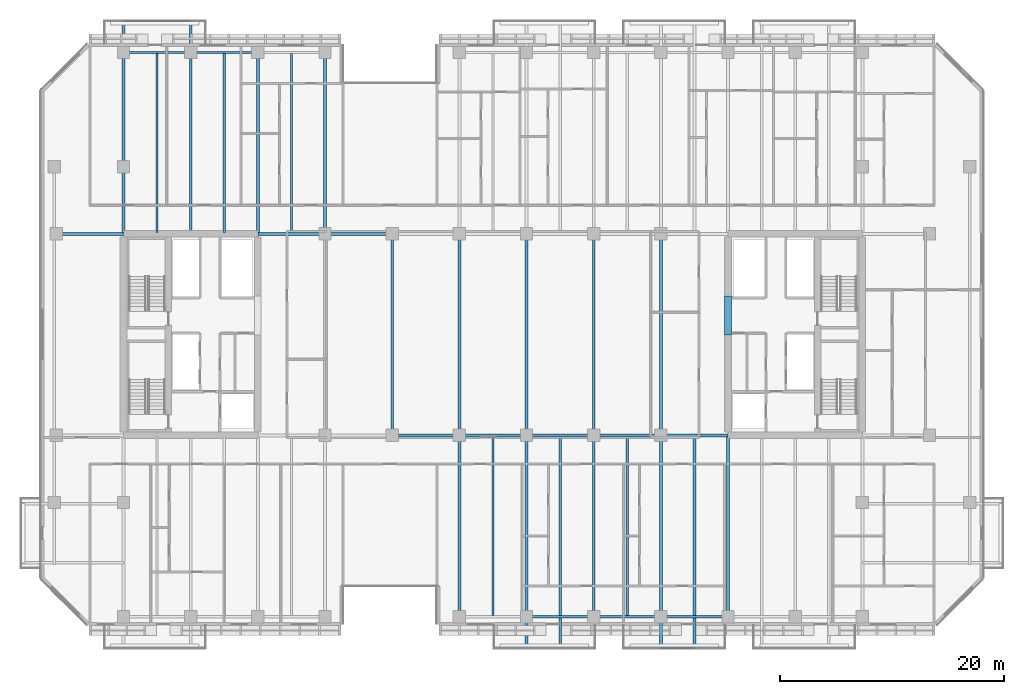
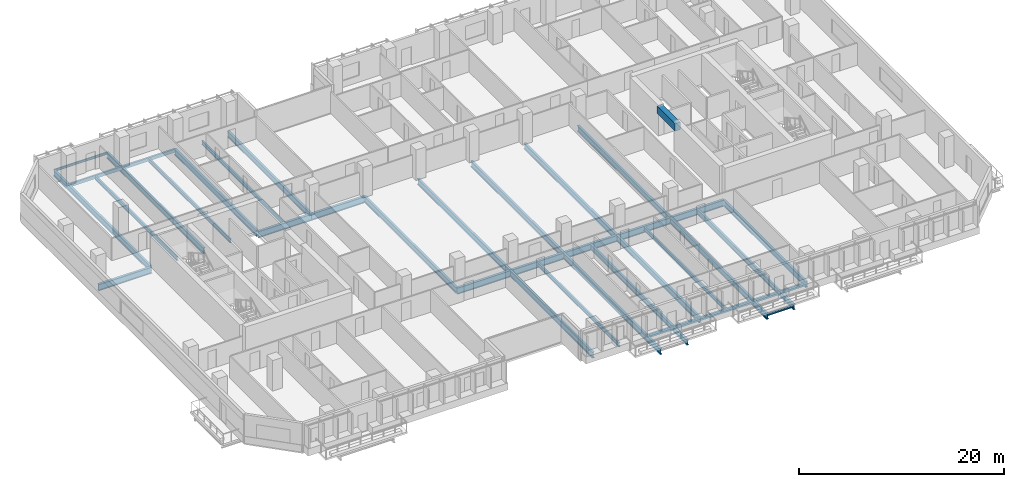
# One storey, part 5 of 26: 37 beams.
"""IFC4 building model written with IfcOpenShell, lengths in metres."""

from ifc_helpers import new_model, si_unit, direction, frame, origin, origin_2d, place, context, subcontext, project, spatial, rectangle, hollow_rectangle, i_section, extrude, material, material_profile, profile_set, type_object, element, save


model = new_model("IFC4")

# Units and contexts
model_context = context("Model", 3, precision=1e-05, world=origin(), true_north=direction((0.0, 1.0)))
body_context = subcontext(model_context, "Body", "Model", "MODEL_VIEW")
ifc_project = project(units=[si_unit("LENGTHUNIT", "METRE"), si_unit("AREAUNIT", "SQUARE_METRE"), si_unit("VOLUMEUNIT", "CUBIC_METRE"), si_unit("PLANEANGLEUNIT", "RADIAN"), si_unit("MASSUNIT", "GRAM", prefix="KILO")], contexts=[model_context])

# Site, building, storey
site_placement = place(None, origin())
site = spatial("IfcSite", under=ifc_project, at=site_placement, CompositionType="ELEMENT")
building_placement = place(site_placement, origin())
building = spatial("IfcBuilding", under=site, at=building_placement, Name="Tanjung Sevakor Pilgrim Tower", CompositionType="ELEMENT")
storey_placement = place(building_placement, frame((0.0, 0.0, 66.0)))
storey = spatial("IfcBuildingStorey", under=building, at=storey_placement, Name="L18", CompositionType="ELEMENT", Elevation=66.0)

# Beams
ifc_material_1 = material(Name="Steel S355J2", Category="steel")
ifc_material_profile_1 = material_profile(ifc_material_1, i_section(OverallWidth=0.26806640625, OverallDepth=0.769775390625, WebThickness=0.015625, FlangeThickness=0.025390625, FilletRadius=0.0166015625, at=origin_2d()))
ifc_profile_set_1 = profile_set([ifc_material_profile_1], Name="Steel S355J2")
beam_type_1 = type_object("IfcBeamType", Name="BM-B-G1-UB_762x267x197", PredefinedType="BEAM", material=ifc_profile_set_1)
for number, where, z_axis, x_axis, name in (
    (1, (48.0, 24.60009765625, -0.60498046875), (1.0, 0.0, 0.0), (0.0, 1.0, 0.0), "L18 Primary Floor Girder MAIN Y246-04"),
    (2, (54.0, 24.60009765625, -0.60498046875), (1.0, 0.0, 0.0), (0.0, 1.0, 0.0), "L18 Primary Floor Girder MAIN Y246-05"),
    (3, (60.0, 24.60009765625, -0.60498046875), (1.0, 0.0, 0.0), (0.0, 1.0, 0.0), "L18 Primary Floor Girder MAIN Y246-06"),
    (4, (66.0, 24.60009765625, -0.60498046875), (1.0, 0.0, 0.0), (0.0, 1.0, 0.0), "L18 Primary Floor Girder MAIN Y246-07"),
    (5, (72.0, 24.60009765625, -0.60498046875), (1.0, 0.0, 0.0), (0.0, 1.0, 0.0), "L18 Primary Floor Girder MAIN Y246-08"),
    (6, (18.0, 42.60009765625, -0.60498046875), (1.0, 0.0, 0.0), (0.0, 1.0, 0.0), "L18 Primary Floor Girder MAIN Y426-01"),
    (7, (36.0, 42.60009765625, -0.60498046875), (1.0, 0.0, 0.0), (0.0, 1.0, 0.0), "L18 Primary Floor Girder MAIN Y426-02"),
    (8, (42.0, 42.60009765625, -0.60498046875), (1.0, 0.0, 0.0), (0.0, 1.0, 0.0), "L18 Primary Floor Girder MAIN Y426-03"),
):
    element("IfcBeam", number, at=place(storey_placement, frame(where, z_axis=z_axis, x_axis=x_axis)), inside=storey, type_object=beam_type_1, Name=name, PredefinedType="BEAM", context=body_context, shape_type="SweptSolid", body=[
        extrude(i_section(OverallWidth=0.26806640625, OverallDepth=0.769775390625, WebThickness=0.015625, FlangeThickness=0.025390625, FilletRadius=0.0166015625, at=origin_2d()), origin(), (0.0, 0.0, 1.0), 6.0),
    ])
ifc_material_2 = material(Name="Steel S355J2", Category="steel")
ifc_material_profile_2 = material_profile(ifc_material_2, i_section(OverallWidth=0.25439453125, OverallDepth=0.6875, WebThickness=0.01318359375, FlangeThickness=0.02099609375, FilletRadius=0.01513671875, at=origin_2d()))
ifc_profile_set_2 = profile_set([ifc_material_profile_2], Name="Steel S355J2")
beam_type_2 = type_object("IfcBeamType", Name="BM-B-G2-UB_686x254x152", PredefinedType="BEAM", material=ifc_profile_set_2)
for number, where, z_axis, x_axis, name in (
    (9, (24.0, 42.73388671875, -0.563720703125), (0.0, 1.0, 0.0), (-1.0, 0.0, 0.0), "L18 Balcony Cantilever Beam MAIN-N1-1"),
    (10, (30.0, 42.73388671875, -0.563720703125), (0.0, 1.0, 0.0), (-1.0, 0.0, 0.0), "L18 Balcony Cantilever Beam MAIN-N1-2"),
):
    element("IfcBeam", number, at=place(storey_placement, frame(where, z_axis=z_axis, x_axis=x_axis)), inside=storey, type_object=beam_type_2, Name=name, PredefinedType="BEAM", context=body_context, shape_type="SweptSolid", body=[
        extrude(i_section(OverallWidth=0.25439453125, OverallDepth=0.6875, WebThickness=0.01318359375, FlangeThickness=0.02099609375, FilletRadius=0.01513671875, at=origin_2d()), origin(), (0.0, 0.0, 1.0), 18.84619140625),
    ])
beam_1_placement = place(storey_placement, frame((36.0, 42.73388671875, -0.563720703125), z_axis=(0.0, 1.0, 0.0), x_axis=(-1.0, 0.0, 0.0)))
element("IfcBeam", 11, at=beam_1_placement, inside=storey, type_object=beam_type_2, Name="L18 MAIN Girder 006", PredefinedType="BEAM", context=body_context, shape_type="SweptSolid", body=[
    extrude(i_section(OverallWidth=0.25439453125, OverallDepth=0.6875, WebThickness=0.01318359375, FlangeThickness=0.02099609375, FilletRadius=0.01513671875, at=origin_2d()), origin(), (0.0, 0.0, 1.0), 16.066162109375),
])
beam_2_placement = place(storey_placement, frame((42.0, 42.60009765625, -0.563720703125), z_axis=(0.0, 1.0, 0.0), x_axis=(-1.0, 0.0, 0.0)))
element("IfcBeam", 12, at=beam_2_placement, inside=storey, type_object=beam_type_2, Name="L18 MAIN Girder 011", PredefinedType="BEAM", context=body_context, shape_type="SweptSolid", body=[
    extrude(i_section(OverallWidth=0.25439453125, OverallDepth=0.6875, WebThickness=0.01318359375, FlangeThickness=0.02099609375, FilletRadius=0.01513671875, at=origin_2d()), origin(), (0.0, 0.0, 1.0), 16.199951171875),
])
beam_3_placement = place(storey_placement, frame((48.0, 24.60009765625, -0.563720703125), z_axis=(0.0, 1.0, 0.0), x_axis=(-1.0, 0.0, 0.0)))
element("IfcBeam", 13, at=beam_3_placement, inside=storey, type_object=beam_type_2, Name="L18 MAIN Girder 012", PredefinedType="BEAM", context=body_context, shape_type="SweptSolid", body=[
    extrude(i_section(OverallWidth=0.25439453125, OverallDepth=0.6875, WebThickness=0.01318359375, FlangeThickness=0.02099609375, FilletRadius=0.01513671875, at=origin_2d()), origin(), (0.0, 0.0, 1.0), 18.0),
])
beam_4_placement = place(storey_placement, frame((54.0, 8.39990234375, -0.563720703125), z_axis=(0.0, 1.0, 0.0), x_axis=(-1.0, 0.0, 0.0)))
element("IfcBeam", 14, at=beam_4_placement, inside=storey, type_object=beam_type_2, Name="L18 MAIN Girder 013", PredefinedType="BEAM", context=body_context, shape_type="SweptSolid", body=[
    extrude(i_section(OverallWidth=0.25439453125, OverallDepth=0.6875, WebThickness=0.01318359375, FlangeThickness=0.02099609375, FilletRadius=0.01513671875, at=origin_2d()), origin(), (0.0, 0.0, 1.0), 16.2001953125),
])
beam_5_placement = place(storey_placement, frame((54.0, 24.60009765625, -0.563720703125), z_axis=(0.0, 1.0, 0.0), x_axis=(-1.0, 0.0, 0.0)))
element("IfcBeam", 15, at=beam_5_placement, inside=storey, type_object=beam_type_2, Name="L18 MAIN Girder 014", PredefinedType="BEAM", context=body_context, shape_type="SweptSolid", body=[
    extrude(i_section(OverallWidth=0.25439453125, OverallDepth=0.6875, WebThickness=0.01318359375, FlangeThickness=0.02099609375, FilletRadius=0.01513671875, at=origin_2d()), origin(), (0.0, 0.0, 1.0), 18.0),
])
beam_6_placement = place(storey_placement, frame((60.0, 24.60009765625, -0.563720703125), z_axis=(0.0, -1.0, 0.0), x_axis=(1.0, 0.0, 0.0)))
element("IfcBeam", 16, at=beam_6_placement, inside=storey, type_object=beam_type_2, Name="L18 Balcony Cantilever Beam MAIN-S2-1", PredefinedType="BEAM", context=body_context, shape_type="SweptSolid", body=[
    extrude(i_section(OverallWidth=0.25439453125, OverallDepth=0.6875, WebThickness=0.01318359375, FlangeThickness=0.02099609375, FilletRadius=0.01513671875, at=origin_2d()), origin(), (0.0, 0.0, 1.0), 18.97998046875),
])
beam_7_placement = place(storey_placement, frame((60.0, 24.60009765625, -0.563720703125), z_axis=(0.0, 1.0, 0.0), x_axis=(-1.0, 0.0, 0.0)))
element("IfcBeam", 17, at=beam_7_placement, inside=storey, type_object=beam_type_2, Name="L18 MAIN Girder 018", PredefinedType="BEAM", context=body_context, shape_type="SweptSolid", body=[
    extrude(i_section(OverallWidth=0.25439453125, OverallDepth=0.6875, WebThickness=0.01318359375, FlangeThickness=0.02099609375, FilletRadius=0.01513671875, at=origin_2d()), origin(), (0.0, 0.0, 1.0), 18.0),
])
beam_8_placement = place(storey_placement, frame((66.0, 8.39990234375, -0.563720703125), z_axis=(0.0, 1.0, 0.0), x_axis=(-1.0, 0.0, 0.0)))
element("IfcBeam", 18, at=beam_8_placement, inside=storey, type_object=beam_type_2, Name="L18 MAIN Girder 019", PredefinedType="BEAM", context=body_context, shape_type="SweptSolid", body=[
    extrude(i_section(OverallWidth=0.25439453125, OverallDepth=0.6875, WebThickness=0.01318359375, FlangeThickness=0.02099609375, FilletRadius=0.01513671875, at=origin_2d()), origin(), (0.0, 0.0, 1.0), 16.2001953125),
])
beam_9_placement = place(storey_placement, frame((66.0, 24.60009765625, -0.563720703125), z_axis=(0.0, 1.0, 0.0), x_axis=(-1.0, 0.0, 0.0)))
element("IfcBeam", 19, at=beam_9_placement, inside=storey, type_object=beam_type_2, Name="L18 MAIN Girder 020", PredefinedType="BEAM", context=body_context, shape_type="SweptSolid", body=[
    extrude(i_section(OverallWidth=0.25439453125, OverallDepth=0.6875, WebThickness=0.01318359375, FlangeThickness=0.02099609375, FilletRadius=0.01513671875, at=origin_2d()), origin(), (0.0, 0.0, 1.0), 18.0),
])
beam_10_placement = place(storey_placement, frame((72.0, 24.60009765625, -0.563720703125), z_axis=(0.0, -1.0, 0.0), x_axis=(1.0, 0.0, 0.0)))
element("IfcBeam", 20, at=beam_10_placement, inside=storey, type_object=beam_type_2, Name="L18 Balcony Cantilever Beam MAIN-S3-1", PredefinedType="BEAM", context=body_context, shape_type="SweptSolid", body=[
    extrude(i_section(OverallWidth=0.25439453125, OverallDepth=0.6875, WebThickness=0.01318359375, FlangeThickness=0.02099609375, FilletRadius=0.01513671875, at=origin_2d()), origin(), (0.0, 0.0, 1.0), 18.97998046875),
])
beam_11_placement = place(storey_placement, frame((72.0, 24.60009765625, -0.563720703125), z_axis=(0.0, 1.0, 0.0), x_axis=(-1.0, 0.0, 0.0)))
element("IfcBeam", 21, at=beam_11_placement, inside=storey, type_object=beam_type_2, Name="L18 MAIN Girder 024", PredefinedType="BEAM", context=body_context, shape_type="SweptSolid", body=[
    extrude(i_section(OverallWidth=0.25439453125, OverallDepth=0.6875, WebThickness=0.01318359375, FlangeThickness=0.02099609375, FilletRadius=0.01513671875, at=origin_2d()), origin(), (0.0, 0.0, 1.0), 18.0),
])
beam_12_placement = place(storey_placement, frame((78.0, 8.39990234375, -0.563720703125), z_axis=(0.0, 1.0, 0.0), x_axis=(-1.0, 0.0, 0.0)))
element("IfcBeam", 22, at=beam_12_placement, inside=storey, type_object=beam_type_2, Name="L18 MAIN Girder 025", PredefinedType="BEAM", context=body_context, shape_type="SweptSolid", body=[
    extrude(i_section(OverallWidth=0.25439453125, OverallDepth=0.6875, WebThickness=0.01318359375, FlangeThickness=0.02099609375, FilletRadius=0.01513671875, at=origin_2d()), origin(), (0.0, 0.0, 1.0), 16.066162109375),
])
ifc_material_3 = material(Name="Steel S355J2", Category="steel")
ifc_material_profile_3 = material_profile(ifc_material_3, i_section(OverallWidth=0.22900390625, OverallDepth=0.6123046875, WebThickness=0.011962890625, FlangeThickness=0.01953125, FilletRadius=0.0126953125, at=origin_2d()))
ifc_profile_set_3 = profile_set([ifc_material_profile_3], Name="Steel S355J2")
beam_type_3 = type_object("IfcBeamType", Name="BM-B-G4-UB_610x229x125", PredefinedType="BEAM", material=ifc_profile_set_3)
for number, where, z_axis, x_axis, name in (
    (23, (63.0, 24.466064453125, -0.526123046875), (0.0, -1.0, 0.0), (1.0, 0.0, 0.0), "L18 Balcony Cantilever Beam MAIN-S2-2"),
    (24, (75.0, 24.466064453125, -0.526123046875), (0.0, -1.0, 0.0), (1.0, 0.0, 0.0), "L18 Balcony Cantilever Beam MAIN-S3-2"),
):
    element("IfcBeam", number, at=place(storey_placement, frame(where, z_axis=z_axis, x_axis=x_axis)), inside=storey, type_object=beam_type_3, Name=name, PredefinedType="BEAM", context=body_context, shape_type="SweptSolid", body=[
        extrude(i_section(OverallWidth=0.22900390625, OverallDepth=0.6123046875, WebThickness=0.011962890625, FlangeThickness=0.01953125, FilletRadius=0.0126953125, at=origin_2d()), origin(), (0.0, 0.0, 1.0), 18.845947265625),
    ])
ifc_material_4 = material(Name="Steel S355J2", Category="steel")
ifc_material_profile_4 = material_profile(ifc_material_4, i_section(OverallWidth=0.19140625, OverallDepth=0.4599609375, WebThickness=0.010009765625, FlangeThickness=0.01611328125, FilletRadius=0.01025390625, at=origin_2d()))
ifc_profile_set_4 = profile_set([ifc_material_profile_4], Name="Steel S355J2")
beam_type_4 = type_object("IfcBeamType", Name="BM-B-J2-UB_457x191x82", PredefinedType="JOIST", material=ifc_profile_set_4)
for number, where, z_axis, x_axis, name in (
    (25, (27.0, 42.73388671875, -0.449951171875), (0.0, 1.0, 0.0), (-1.0, 0.0, 0.0), "L18 MAIN Joist 002"),
    (26, (33.0, 42.73388671875, -0.449951171875), (0.0, 1.0, 0.0), (-1.0, 0.0, 0.0), "L18 MAIN Joist 004"),
    (27, (39.0, 42.73388671875, -0.449951171875), (0.0, 1.0, 0.0), (-1.0, 0.0, 0.0), "L18 MAIN Joist 008"),
    (28, (57.0, 8.5, -0.449951171875), (0.0, 1.0, 0.0), (-1.0, 0.0, 0.0), "L18 MAIN Joist 016"),
    (29, (69.0, 8.5, -0.449951171875), (0.0, 1.0, 0.0), (-1.0, 0.0, 0.0), "L18 MAIN Joist 022"),
):
    element("IfcBeam", number, at=place(storey_placement, frame(where, z_axis=z_axis, x_axis=x_axis)), inside=storey, type_object=beam_type_4, Name=name, PredefinedType="JOIST", context=body_context, shape_type="SweptSolid", body=[
        extrude(i_section(OverallWidth=0.19140625, OverallDepth=0.4599609375, WebThickness=0.010009765625, FlangeThickness=0.01611328125, FilletRadius=0.01025390625, at=origin_2d()), origin(), (0.0, 0.0, 1.0), 15.966064453125),
    ])
ifc_material_5 = material(Name="Steel S355J2", Category="steel")
ifc_material_profile_5 = material_profile(ifc_material_5, i_section(OverallWidth=0.146484375, OverallDepth=0.256103515625, WebThickness=0.00634765625, FlangeThickness=0.010986328125, FilletRadius=0.007568359375, at=origin_2d()))
ifc_profile_set_5 = profile_set([ifc_material_profile_5], Name="Steel S355J2")
beam_type_5 = type_object("IfcBeamType", Name="BM-B-J6-UB_254x146x37", PredefinedType="JOIST", material=ifc_profile_set_5)
beam_13_placement = place(storey_placement, frame((24.0, 61.580078125, -0.327880859375), z_axis=(1.0, 0.0, 0.0), x_axis=(0.0, 1.0, 0.0)))
element("IfcBeam", 30, at=beam_13_placement, inside=storey, type_object=beam_type_5, Name="L18 Balcony Rim Tie MAIN-N1", PredefinedType="JOIST", context=body_context, shape_type="SweptSolid", body=[
    extrude(i_section(OverallWidth=0.146484375, OverallDepth=0.256103515625, WebThickness=0.00634765625, FlangeThickness=0.010986328125, FilletRadius=0.007568359375, at=origin_2d()), origin(), (0.0, 0.0, 1.0), 6.0),
])
beam_14_placement = place(storey_placement, frame((72.0, 5.6201171875, -0.327880859375), z_axis=(1.0, 0.0, 0.0), x_axis=(0.0, 1.0, 0.0)))
element("IfcBeam", 31, at=beam_14_placement, inside=storey, type_object=beam_type_5, Name="L18 Balcony Rim Tie MAIN-S3", PredefinedType="JOIST", context=body_context, shape_type="SweptSolid", body=[
    extrude(i_section(OverallWidth=0.146484375, OverallDepth=0.256103515625, WebThickness=0.00634765625, FlangeThickness=0.010986328125, FilletRadius=0.007568359375, at=origin_2d()), origin(), (0.0, 0.0, 1.0), 3.0),
])
ifc_material_6 = material(Name="Concrete C60/75", Category="concrete")
ifc_material_profile_6 = material_profile(ifc_material_6, rectangle(XDim=0.60009765625, YDim=0.89990234375, at=origin_2d()))
ifc_profile_set_6 = profile_set([ifc_material_profile_6], Name="Concrete C60/75")
beam_type_6 = type_object("IfcBeamType", Name="BM-B-LN1-RC-BM_600x900", PredefinedType="LINTEL", material=ifc_profile_set_6)
beam_15_placement = place(storey_placement, frame((78.0, 33.550048828125, 2.9599609375), z_axis=(0.0, 1.0, 0.0), x_axis=(-1.0, 0.0, 0.0)))
element("IfcBeam", 32, at=beam_15_placement, inside=storey, type_object=beam_type_6, Name="L18 E Core Coupling Lintel", PredefinedType="LINTEL", context=body_context, shape_type="SweptSolid", body=[
    extrude(rectangle(XDim=0.60009765625, YDim=0.89990234375, at=origin_2d()), origin(), (0.0, 0.0, 1.0), 3.5),
])
ifc_material_7 = material(Name="Steel S355J2", Category="steel")
ifc_material_profile_7 = material_profile(ifc_material_7, hollow_rectangle(XDim=0.199951171875, YDim=0.39990234375, WallThickness=0.01611328125, at=origin_2d()))
ifc_profile_set_7 = profile_set([ifc_material_profile_7], Name="Steel S355J2")
beam_type_7 = type_object("IfcBeamType", Name="BM-B-SP2-RHS_400x200x16", PredefinedType="SPANDREL", material=ifc_profile_set_7)
for number, where, z_axis, x_axis, name in (
    (33, (24.0, 58.800048828125, -0.419921875), (1.0, 0.0, 0.0), (0.0, 1.0, 0.0), "L18 Spandrel MAIN N-02"),
    (34, (30.0, 58.800048828125, -0.419921875), (1.0, 0.0, 0.0), (0.0, 1.0, 0.0), "L18 Spandrel MAIN N-04"),
    (35, (60.0, 8.39990234375, -0.419921875), (1.0, 0.0, 0.0), (0.0, 1.0, 0.0), "L18 Spandrel MAIN S-09"),
    (36, (66.0, 8.39990234375, -0.419921875), (1.0, 0.0, 0.0), (0.0, 1.0, 0.0), "L18 Spandrel MAIN S-11"),
    (37, (72.0, 8.39990234375, -0.419921875), (1.0, 0.0, 0.0), (0.0, 1.0, 0.0), "L18 Spandrel MAIN S-13"),
):
    element("IfcBeam", number, at=place(storey_placement, frame(where, z_axis=z_axis, x_axis=x_axis)), inside=storey, type_object=beam_type_7, Name=name, PredefinedType="SPANDREL", context=body_context, shape_type="SweptSolid", body=[
        extrude(hollow_rectangle(XDim=0.199951171875, YDim=0.39990234375, WallThickness=0.01611328125, at=origin_2d()), origin(), (0.0, 0.0, 1.0), 6.0),
    ])

save(model, "model.ifc")
